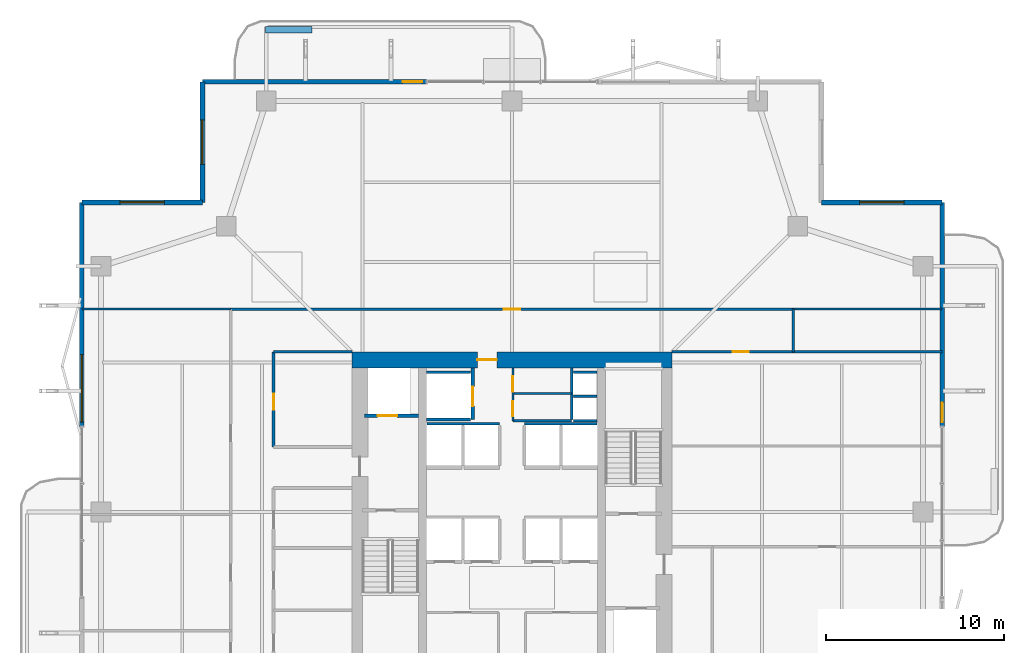
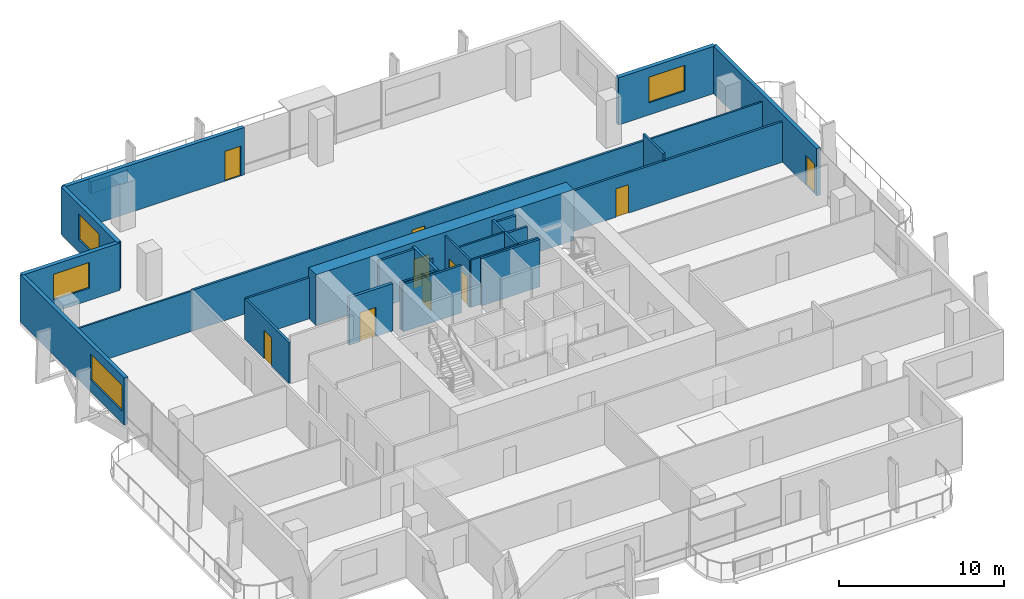
# One storey, part 20 of 25: 28 walls, 10 doors, 4 windows, 14 openings.
"""IFC4 building model written with IfcOpenShell, lengths in metres."""

from ifc_helpers import new_model, si_unit, direction, frame, frame_2d, origin, place, context, subcontext, project, spatial, rectangle, extrude, material, layer, layer_set, type_object, element, fill, save


model = new_model("IFC4")

# Units and contexts
model_context = context("Model", 3, precision=1e-05, world=origin(), true_north=direction((0.0, 1.0)))
body_context = subcontext(model_context, "Body", "Model", "MODEL_VIEW")
ifc_project = project(units=[si_unit("LENGTHUNIT", "METRE"), si_unit("AREAUNIT", "SQUARE_METRE"), si_unit("VOLUMEUNIT", "CUBIC_METRE"), si_unit("PLANEANGLEUNIT", "RADIAN"), si_unit("MASSUNIT", "GRAM", prefix="KILO")], contexts=[model_context])

# Site, building, storey
site_placement = place(None, origin())
site = spatial("IfcSite", under=ifc_project, at=site_placement, CompositionType="ELEMENT")
building_placement = place(site_placement, origin())
building = spatial("IfcBuilding", under=site, at=building_placement, Name="Belovzor Exchange Tower", CompositionType="ELEMENT")
storey_placement = place(building_placement, frame((0.0, 0.0, 142.050048828125)))
storey = spatial("IfcBuildingStorey", under=building, at=storey_placement, Name="L34", CompositionType="ELEMENT", Elevation=142.050048828125)

# Walls
ifc_material_1 = material(Name="Acoustic Plasterboard on Galvanised Studs", Category="gypsum")
ifc_layer_1 = layer(ifc_material_1, 0.1201171875)
ifc_layer_set_1 = layer_set([ifc_layer_1], Name="Acoustic Plasterboard on Galvanised Studs")
wall_type_1 = type_object("IfcWallType", Name="Acoustic Double-Stud Partition Wall 120", PredefinedType="PARTITIONING", material=ifc_layer_set_1)
wall_1_placement = place(storey_placement, frame((4.6298828125, 40.199951171875, 0.0), z_axis=(0.0, 0.0, 1.0), x_axis=(1.0, 0.0, 0.0)))
element("IfcWall", 1, at=wall_1_placement, inside=storey, type_object=wall_type_1, Name="W-P120 Partition Wall W-L34-END-NW", PredefinedType="PARTITIONING", context=body_context, shape_type="SweptSolid", body=[
    extrude(rectangle(XDim=8.3701171875, YDim=0.1201171875, at=frame_2d((4.18505859375, 0.0))), origin(), (0.0, 0.0, 1.0), 2.97998046875),
])
wall_2_placement = place(storey_placement, frame((44.60009765625, 40.199951171875, 0.0), z_axis=(0.0, 0.0, 1.0), x_axis=(1.0, 0.0, 0.0)))
element("IfcWall", 2, at=wall_2_placement, inside=storey, type_object=wall_type_1, Name="W-P120 Partition Wall W-L34-END-NE", PredefinedType="PARTITIONING", context=body_context, shape_type="SweptSolid", body=[
    extrude(rectangle(XDim=8.369873046875, YDim=0.1201171875, at=frame_2d((4.18505859375, 0.0))), origin(), (0.0, 0.0, 1.0), 2.97998046875),
])

# Wall, openings, doors
ifc_material_2 = material(Name="Fire-Rated Plasterboard on Galvanised Studs", Category="gypsum")
ifc_layer_2 = layer(ifc_material_2, 0.1201171875)
ifc_layer_set_2 = layer_set([ifc_layer_2], Name="Fire-Rated Plasterboard on Galvanised Studs")
wall_type_2 = type_object("IfcWallType", Name="Fire-Rated Double-Stud Partition Wall 120", PredefinedType="PARTITIONING", material=ifc_layer_set_2)
wall_3_placement = place(storey_placement, frame((28.85009765625, 33.925048828125, 0.0), z_axis=(0.0, 0.0, 1.0), x_axis=(0.0, 1.0, 0.0)))
wall_3 = element("IfcWall", 3, at=wall_3_placement, inside=storey, type_object=wall_type_2, Name="W-P120F Partition Wall W-CRV-L34-W", PredefinedType="PARTITIONING", context=body_context, shape_type="SweptSolid", body=[
    extrude(rectangle(XDim=2.974853515625, YDim=0.1201171875, at=frame_2d((1.4873046875, 0.0))), origin(), (0.0, 0.0, 1.0), 3.494873046875),
])
opening_1_placement = place(wall_3_placement, frame((0.25, 0.0, 0.0)))
opening_1 = element("IfcOpeningElement", 4, at=opening_1_placement, cuts=wall_3, Name="Opening D-FD60-085", PredefinedType="OPENING", context=body_context, shape_type="SweptSolid", body=[
    extrude(rectangle(XDim=0.85009765625, YDim=2.10009765625, at=frame_2d((0.425048828125, 1.050048828125))), frame((0.0, 0.070068359375, 0.0), z_axis=(0.0, -1.0, 0.0), x_axis=(1.0, 0.0, 0.0)), (0.0, 0.0, 1.0), 0.14013671875),
])
opening_2_placement = place(wall_3_placement, frame((1.64501953125, 0.0, 0.0)))
opening_2 = element("IfcOpeningElement", 5, at=opening_2_placement, cuts=wall_3, Name="Opening D-FD60-085", PredefinedType="OPENING", context=body_context, shape_type="SweptSolid", body=[
    extrude(rectangle(XDim=0.85009765625, YDim=2.10009765625, at=frame_2d((0.425048828125, 1.050048828125))), frame((0.0, 0.070068359375, 0.0), z_axis=(0.0, -1.0, 0.0), x_axis=(1.0, 0.0, 0.0)), (0.0, 0.0, 1.0), 0.14013671875),
])
ifc_material_3 = material(Name="Fire-Rated Steel Access Leaf", Category="steel")
door_type_1 = type_object("IfcDoorType", Name="Riser & Meter Closet Access Fire Door 850x2100", OperationType="NOTDEFINED", PredefinedType="DOOR", material=ifc_material_3)
door_1_placement = place(opening_1_placement, origin())
door_1 = element("IfcDoor", 6, at=door_1_placement, inside=storey, type_object=door_type_1, Name="D-FD60-085 Riser & Meter Closet Access Fire Door 850x2100", OperationType="SINGLE_SWING_LEFT", OverallHeight=2.10009765625, OverallWidth=0.85009765625, PredefinedType="DOOR", context=body_context, shape_type="SweptSolid", body=[
    extrude(rectangle(XDim=0.85009765625, YDim=2.10009765625, at=frame_2d((0.425048828125, 1.050048828125))), frame((0.0, 0.02490234375, 0.0), z_axis=(0.0, -1.0, 0.0), x_axis=(1.0, 0.0, 0.0)), (0.0, 0.0, 1.0), 0.050048828125),
])
fill(opening_1, door_1)
door_2_placement = place(opening_2_placement, origin())
door_2 = element("IfcDoor", 7, at=door_2_placement, inside=storey, type_object=door_type_1, Name="D-FD60-085 Riser & Meter Closet Access Fire Door 850x2100", OperationType="SINGLE_SWING_RIGHT", OverallHeight=2.10009765625, OverallWidth=0.85009765625, PredefinedType="DOOR", context=body_context, shape_type="SweptSolid", body=[
    extrude(rectangle(XDim=0.85009765625, YDim=2.10009765625, at=frame_2d((0.425048828125, 1.050048828125))), frame((0.0, 0.02490234375, 0.0), z_axis=(0.0, -1.0, 0.0), x_axis=(1.0, 0.0, 0.0)), (0.0, 0.0, 1.0), 0.050048828125),
])
fill(opening_2, door_2)

# Walls
for number, where, z_axis, x_axis, name in (
    (8, (28.85009765625, 35.449951171875, 0.0), (0.0, 0.0, 1.0), (1.0, 0.0, 0.0), "W-P120F Partition Wall W-CRV-L34-M"),
    (9, (28.85009765625, 33.925048828125, 0.0), (0.0, 0.0, 1.0), (1.0, 0.0, 0.0), "W-P120F Partition Wall W-CRV-L34-S"),
):
    element("IfcWall", number, at=place(storey_placement, frame(where, z_axis=z_axis, x_axis=x_axis)), inside=storey, type_object=wall_type_2, Name=name, PredefinedType="PARTITIONING", context=body_context, shape_type="SweptSolid", body=[
        extrude(rectangle(XDim=3.2998046875, YDim=0.1201171875, at=frame_2d((1.64990234375, 0.0))), origin(), (0.0, 0.0, 1.0), 3.494873046875),
    ])
ifc_material_4 = material(Name="Fire-Rated Gypsum Block and Mineral Wool", Category="gypsum")
ifc_layer_3 = layer(ifc_material_4, 0.14990234375)
ifc_layer_set_3 = layer_set([ifc_layer_3], Name="Fire-Rated Gypsum Block and Mineral Wool")
wall_type_3 = type_object("IfcWallType", Name="Fire-Rated Gypsum Block Corridor Wall 150", PredefinedType="PARTITIONING", material=ifc_layer_set_3)
wall_4_placement = place(storey_placement, frame((15.39990234375, 37.800048828125, 0.0), z_axis=(0.0, 0.0, 1.0), x_axis=(1.0, 0.0, 0.0)))
element("IfcWall", 10, at=wall_4_placement, inside=storey, type_object=wall_type_3, Name="W-P150 Partition Wall W-L34-INW-N", PredefinedType="PARTITIONING", context=body_context, shape_type="SweptSolid", body=[
    extrude(rectangle(XDim=4.400146484375, YDim=0.14990234375, at=frame_2d((2.2001953125, 0.0))), origin(), (0.0, 0.0, 1.0), 3.030029296875),
])

# Wall, opening, door
wall_5_placement = place(storey_placement, frame((15.39990234375, 32.449951171875, 0.0), z_axis=(0.0, 0.0, 1.0), x_axis=(0.0, 1.0, 0.0)))
wall_5 = element("IfcWall", 11, at=wall_5_placement, inside=storey, type_object=wall_type_3, Name="W-P150 Partition Wall W-L34-WIE-N", PredefinedType="PARTITIONING", context=body_context, shape_type="SweptSolid", body=[
    extrude(rectangle(XDim=5.35009765625, YDim=0.14990234375, at=frame_2d((2.675048828125, 0.0))), origin(), (0.0, 0.0, 1.0), 3.030029296875),
])
opening_3_placement = place(wall_5_placement, frame((2.10009765625, 0.0, 0.0)))
opening_3 = element("IfcOpeningElement", 12, at=opening_3_placement, cuts=wall_5, Name="Opening D-FD60-090", PredefinedType="OPENING", context=body_context, shape_type="SweptSolid", body=[
    extrude(rectangle(XDim=0.89990234375, YDim=2.10009765625, at=frame_2d((0.449951171875, 1.050048828125))), frame((0.0, 0.0849609375, 0.0), z_axis=(0.0, -1.0, 0.0), x_axis=(1.0, 0.0, 0.0)), (0.0, 0.0, 1.0), 0.169921875),
])
ifc_material_5 = material(Name="Acoustic Timber Fire Leaf", Category="wood")
door_type_2 = type_object("IfcDoorType", Name="Core Service & Restroom Fire Door 900x2100", OperationType="NOTDEFINED", PredefinedType="DOOR", material=ifc_material_5)
door_3_placement = place(opening_3_placement, origin())
door_3 = element("IfcDoor", 13, at=door_3_placement, inside=storey, type_object=door_type_2, Name="D-FD60-090 Core Service & Restroom Fire Door 900x2100", OperationType="SINGLE_SWING_LEFT", OverallHeight=2.10009765625, OverallWidth=0.89990234375, PredefinedType="DOOR", context=body_context, shape_type="SweptSolid", body=[
    extrude(rectangle(XDim=0.89990234375, YDim=2.10009765625, at=frame_2d((0.449951171875, 1.050048828125))), frame((0.0, 0.02490234375, 0.0), z_axis=(0.0, -1.0, 0.0), x_axis=(1.0, 0.0, 0.0)), (0.0, 0.0, 1.0), 0.050048828125),
])
fill(opening_3, door_3)

# Wall
wall_6_placement = place(storey_placement, frame((44.60009765625, 37.800048828125, 0.0), z_axis=(0.0, 0.0, 1.0), x_axis=(0.0, 1.0, 0.0)))
element("IfcWall", 14, at=wall_6_placement, inside=storey, type_object=wall_type_3, Name="W-P150 Partition Wall W-L34-END-EN", PredefinedType="PARTITIONING", context=body_context, shape_type="SweptSolid", body=[
    extrude(rectangle(XDim=2.39990234375, YDim=0.14990234375, at=frame_2d((1.199951171875, 0.0))), origin(), (0.0, 0.0, 1.0), 3.494873046875),
])

# Wall, opening, door
wall_7_placement = place(storey_placement, frame((37.800048828125, 37.800048828125, 0.0), z_axis=(0.0, 0.0, 1.0), x_axis=(1.0, 0.0, 0.0)))
wall_7 = element("IfcWall", 15, at=wall_7_placement, inside=storey, type_object=wall_type_3, Name="W-P150 Partition Wall W-L34-CN-IN", PredefinedType="PARTITIONING", context=body_context, shape_type="SweptSolid", body=[
    extrude(rectangle(XDim=15.169921875, YDim=0.14990234375, at=frame_2d((7.5849609375, 0.0))), origin(), (0.0, 0.0, 1.0), 2.97998046875),
])
opening_4_placement = place(wall_7_placement, frame((3.39990234375, 0.0, 0.0)))
opening_4 = element("IfcOpeningElement", 16, at=opening_4_placement, cuts=wall_7, Name="Opening D-INT-090", PredefinedType="OPENING", context=body_context, shape_type="SweptSolid", body=[
    extrude(rectangle(XDim=0.89990234375, YDim=2.10009765625, at=frame_2d((0.449951171875, 1.050048828125))), frame((0.0, 0.0849609375, 0.0), z_axis=(0.0, -1.0, 0.0), x_axis=(1.0, 0.0, 0.0)), (0.0, 0.0, 1.0), 0.169921875),
])
ifc_material_6 = material(Name="Veneered Hardwood Acoustic Leaf", Category="wood")
door_type_3 = type_object("IfcDoorType", Name="Trading Suite Acoustic Single Door 900x2100", OperationType="NOTDEFINED", PredefinedType="DOOR", material=ifc_material_6)
door_4_placement = place(opening_4_placement, origin())
door_4 = element("IfcDoor", 17, at=door_4_placement, inside=storey, type_object=door_type_3, Name="D-INT-090 Trading Suite Acoustic Single Door 900x2100", OperationType="SINGLE_SWING_RIGHT", OverallHeight=2.10009765625, OverallWidth=0.89990234375, PredefinedType="DOOR", context=body_context, shape_type="SweptSolid", body=[
    extrude(rectangle(XDim=0.89990234375, YDim=2.10009765625, at=frame_2d((0.449951171875, 1.050048828125))), frame((0.0, 0.02490234375, 0.0), z_axis=(0.0, -1.0, 0.0), x_axis=(1.0, 0.0, 0.0)), (0.0, 0.0, 1.0), 0.050048828125),
])
fill(opening_4, door_4)

wall_8_placement = place(storey_placement, frame((13.0, 40.199951171875, 0.0), z_axis=(0.0, 0.0, 1.0), x_axis=(1.0, 0.0, 0.0)))
wall_8 = element("IfcWall", 18, at=wall_8_placement, inside=storey, type_object=wall_type_3, Name="W-P150 Partition Wall W-L34-CN", PredefinedType="PARTITIONING", context=body_context, shape_type="SweptSolid", body=[
    extrude(rectangle(XDim=31.60009765625, YDim=0.14990234375, at=frame_2d((15.800048828125, 0.0))), origin(), (0.0, 0.0, 1.0), 3.030029296875),
])
opening_5_placement = place(wall_8_placement, frame((15.35009765625, 0.0, 0.0)))
opening_5 = element("IfcOpeningElement", 19, at=opening_5_placement, cuts=wall_8, Name="Opening D-INT-090", PredefinedType="OPENING", context=body_context, shape_type="SweptSolid", body=[
    extrude(rectangle(XDim=0.89990234375, YDim=2.10009765625, at=frame_2d((0.449951171875, 1.050048828125))), frame((0.0, 0.0849609375, 0.0), z_axis=(0.0, -1.0, 0.0), x_axis=(1.0, 0.0, 0.0)), (0.0, 0.0, 1.0), 0.169921875),
])
door_5_placement = place(opening_5_placement, origin())
door_5 = element("IfcDoor", 20, at=door_5_placement, inside=storey, type_object=door_type_3, Name="D-INT-090 Trading Suite Acoustic Single Door 900x2100", OperationType="SINGLE_SWING_LEFT", OverallHeight=2.10009765625, OverallWidth=0.89990234375, PredefinedType="DOOR", context=body_context, shape_type="SweptSolid", body=[
    extrude(rectangle(XDim=0.89990234375, YDim=2.10009765625, at=frame_2d((0.449951171875, 1.050048828125))), frame((0.0, 0.02490234375, 0.0), z_axis=(0.0, -1.0, 0.0), x_axis=(1.0, 0.0, 0.0)), (0.0, 0.0, 1.0), 0.050048828125),
])
fill(opening_5, door_5)

# Wall, opening, window
ifc_material_7 = material(Name="Precast concrete C40/50", Category="concrete")
ifc_layer_4 = layer(ifc_material_7, 0.280029296875)
ifc_layer_set_4 = layer_set([ifc_layer_4], Name="Precast concrete C40/50")
wall_type_4 = type_object("IfcWallType", Name="Precast Concrete Notched Corner Frame Wall 280", PredefinedType="SOLIDWALL", material=ifc_layer_set_4)
wall_9_placement = place(storey_placement, frame((4.6298828125, 46.199951171875, 0.0), z_axis=(0.0, 0.0, 1.0), x_axis=(1.0, 0.0, 0.0)))
wall_9 = element("IfcWall", 21, at=wall_9_placement, inside=storey, type_object=wall_type_4, Name="W-CRN280 Precast Concrete Notched Corner Frame Wall 280 L34", PredefinedType="SOLIDWALL", context=body_context, shape_type="SweptSolid", body=[
    extrude(rectangle(XDim=6.77001953125, YDim=0.280029296875, at=frame_2d((3.385009765625, 0.0))), origin(), (0.0, 0.0, 1.0), 3.494873046875),
])
opening_6_placement = place(wall_9_placement, frame((2.135009765625, 0.0, 0.89990234375)))
opening_6 = element("IfcOpeningElement", 22, at=opening_6_placement, cuts=wall_9, Name="Opening WN-CRN250", PredefinedType="OPENING", context=body_context, shape_type="SweptSolid", body=[
    extrude(rectangle(XDim=2.5, YDim=1.89990234375, at=frame_2d((1.25, 0.949951171875))), frame((0.0, 0.14990234375, 0.0), z_axis=(0.0, -1.0, 0.0), x_axis=(1.0, 0.0, 0.0)), (0.0, 0.0, 1.0), 0.300048828125),
])
ifc_material_8 = material(Name="Thermally Broken Aluminium and Triple Glazing", Category="aluminium")
window_type_1 = type_object("IfcWindowType", Name="Streamline Moderne Corner Wrap Ribbon Window 2500x1900", PartitioningType="SINGLE_PANEL", PredefinedType="WINDOW", material=ifc_material_8)
window_1_placement = place(opening_6_placement, origin())
window_1 = element("IfcWindow", 23, at=window_1_placement, inside=storey, type_object=window_type_1, Name="WN-CRN250 Streamline Moderne Corner Wrap Ribbon Window 2500x1900", OverallHeight=1.89990234375, OverallWidth=2.5, PartitioningType="SINGLE_PANEL", PredefinedType="WINDOW", context=body_context, shape_type="SweptSolid", body=[
    extrude(rectangle(XDim=2.5, YDim=1.89990234375, at=frame_2d((1.25, 0.949951171875))), frame((0.0, 0.030029296875, 0.0), z_axis=(0.0, -1.0, 0.0), x_axis=(1.0, 0.0, 0.0)), (0.0, 0.0, 1.0), 0.06005859375),
])
fill(opening_6, window_1)

wall_10_placement = place(storey_placement, frame((11.39990234375, 46.199951171875, 0.0), z_axis=(0.0, 0.0, 1.0), x_axis=(0.0, 1.0, 0.0)))
wall_10 = element("IfcWall", 24, at=wall_10_placement, inside=storey, type_object=wall_type_4, Name="W-CRN280 Precast Concrete Notched Corner Frame Wall 280 L34", PredefinedType="SOLIDWALL", context=body_context, shape_type="SweptSolid", body=[
    extrude(rectangle(XDim=6.77001953125, YDim=0.280029296875, at=frame_2d((3.385009765625, 0.0))), origin(), (0.0, 0.0, 1.0), 3.494873046875),
])
opening_7_placement = place(wall_10_placement, frame((2.135009765625, 0.0, 0.89990234375)))
opening_7 = element("IfcOpeningElement", 25, at=opening_7_placement, cuts=wall_10, Name="Opening WN-CRN250", PredefinedType="OPENING", context=body_context, shape_type="SweptSolid", body=[
    extrude(rectangle(XDim=2.5, YDim=1.89990234375, at=frame_2d((1.25, 0.949951171875))), frame((0.0, 0.14990234375, 0.0), z_axis=(0.0, -1.0, 0.0), x_axis=(1.0, 0.0, 0.0)), (0.0, 0.0, 1.0), 0.300048828125),
])
window_2_placement = place(opening_7_placement, origin())
window_2 = element("IfcWindow", 26, at=window_2_placement, inside=storey, type_object=window_type_1, Name="WN-CRN250 Streamline Moderne Corner Wrap Ribbon Window 2500x1900", OverallHeight=1.89990234375, OverallWidth=2.5, PartitioningType="SINGLE_PANEL", PredefinedType="WINDOW", context=body_context, shape_type="SweptSolid", body=[
    extrude(rectangle(XDim=2.5, YDim=1.89990234375, at=frame_2d((1.25, 0.949951171875))), frame((0.0, 0.030029296875, 0.0), z_axis=(0.0, -1.0, 0.0), x_axis=(1.0, 0.0, 0.0)), (0.0, 0.0, 1.0), 0.06005859375),
])
fill(opening_7, window_2)

wall_11_placement = place(storey_placement, frame((46.199951171875, 46.199951171875, 0.0), z_axis=(0.0, 0.0, 1.0), x_axis=(1.0, 0.0, 0.0)))
wall_11 = element("IfcWall", 27, at=wall_11_placement, inside=storey, type_object=wall_type_4, Name="W-CRN280 Precast Concrete Notched Corner Frame Wall 280 L34", PredefinedType="SOLIDWALL", context=body_context, shape_type="SweptSolid", body=[
    extrude(rectangle(XDim=6.77001953125, YDim=0.280029296875, at=frame_2d((3.385009765625, 0.0))), origin(), (0.0, 0.0, 1.0), 3.494873046875),
])
opening_8_placement = place(wall_11_placement, frame((2.135009765625, 0.0, 0.89990234375)))
opening_8 = element("IfcOpeningElement", 28, at=opening_8_placement, cuts=wall_11, Name="Opening WN-CRN250", PredefinedType="OPENING", context=body_context, shape_type="SweptSolid", body=[
    extrude(rectangle(XDim=2.5, YDim=1.89990234375, at=frame_2d((1.25, 0.949951171875))), frame((0.0, 0.14990234375, 0.0), z_axis=(0.0, -1.0, 0.0), x_axis=(1.0, 0.0, 0.0)), (0.0, 0.0, 1.0), 0.300048828125),
])
window_3_placement = place(opening_8_placement, origin())
window_3 = element("IfcWindow", 29, at=window_3_placement, inside=storey, type_object=window_type_1, Name="WN-CRN250 Streamline Moderne Corner Wrap Ribbon Window 2500x1900", OverallHeight=1.89990234375, OverallWidth=2.5, PartitioningType="SINGLE_PANEL", PredefinedType="WINDOW", context=body_context, shape_type="SweptSolid", body=[
    extrude(rectangle(XDim=2.5, YDim=1.89990234375, at=frame_2d((1.25, 0.949951171875))), frame((0.0, 0.030029296875, 0.0), z_axis=(0.0, -1.0, 0.0), x_axis=(1.0, 0.0, 0.0)), (0.0, 0.0, 1.0), 0.06005859375),
])
fill(opening_8, window_3)

# Wall, opening, door
ifc_material_9 = material(Name="Precast concrete C40/50", Category="concrete")
ifc_layer_5 = layer(ifc_material_9, 0.260009765625)
ifc_layer_set_5 = layer_set([ifc_layer_5], Name="Precast concrete C40/50")
wall_type_5 = type_object("IfcWallType", Name="Precast Concrete Perimeter Loggia Frame Wall 260", PredefinedType="SOLIDWALL", material=ifc_layer_set_5)
wall_12_placement = place(storey_placement, frame((11.39990234375, 52.969970703125, 0.0), z_axis=(0.0, 0.0, 1.0), x_axis=(1.0, 0.0, 0.0)))
wall_12 = element("IfcWall", 30, at=wall_12_placement, inside=storey, type_object=wall_type_5, Name="W-EXT260 Precast Concrete Perimeter Loggia Frame Wall 260 L34", PredefinedType="SOLIDWALL", context=body_context, shape_type="SweptSolid", body=[
    extrude(rectangle(XDim=12.60009765625, YDim=0.260009765625, at=frame_2d((6.300048828125, 0.0))), origin(), (0.0, 0.0, 1.0), 3.494873046875),
])
opening_9_placement = place(wall_12_placement, frame((11.25, 0.0, 0.0)))
opening_9 = element("IfcOpeningElement", 31, at=opening_9_placement, cuts=wall_12, Name="Opening D-BAL110", PredefinedType="OPENING", context=body_context, shape_type="SweptSolid", body=[
    extrude(rectangle(XDim=1.10009765625, YDim=2.199951171875, at=frame_2d((0.550048828125, 1.10009765625))), frame((0.0, 0.139892578125, 0.0), z_axis=(0.0, -1.0, 0.0), x_axis=(1.0, 0.0, 0.0)), (0.0, 0.0, 1.0), 0.280029296875),
])
ifc_material_10 = material(Name="Thermally Broken Anodised Aluminium and Laminated Glass", Category="aluminium")
door_type_4 = type_object("IfcDoorType", Name="Planted Loggia Terrace Glazed Door 1100x2200", OperationType="SINGLE_SWING_LEFT", PredefinedType="DOOR", material=ifc_material_10)
door_6_placement = place(opening_9_placement, origin())
door_6 = element("IfcDoor", 32, at=door_6_placement, inside=storey, type_object=door_type_4, Name="D-BAL110 Balcony Terrace Door L34 N", OperationType="SINGLE_SWING_RIGHT", OverallHeight=2.199951171875, OverallWidth=1.10009765625, PredefinedType="DOOR", context=body_context, shape_type="SweptSolid", body=[
    extrude(rectangle(XDim=1.10009765625, YDim=2.199951171875, at=frame_2d((0.550048828125, 1.10009765625))), frame((0.0, 0.02490234375, 0.0), z_axis=(0.0, -1.0, 0.0), x_axis=(1.0, 0.0, 0.0)), (0.0, 0.0, 1.0), 0.050048828125),
])
fill(opening_9, door_6)

# Wall, opening, window
wall_13_placement = place(storey_placement, frame((4.6298828125, 33.60009765625, 0.0), z_axis=(0.0, 0.0, 1.0), x_axis=(0.0, 1.0, 0.0)))
wall_13 = element("IfcWall", 33, at=wall_13_placement, inside=storey, type_object=wall_type_5, Name="W-EXT260 Precast Concrete Perimeter Loggia Frame Wall 260 L34", PredefinedType="SOLIDWALL", context=body_context, shape_type="SweptSolid", body=[
    extrude(rectangle(XDim=12.599853515625, YDim=0.260009765625, at=frame_2d((6.2998046875, 0.0))), origin(), (0.0, 0.0, 1.0), 3.494873046875),
])
opening_10_placement = place(wall_13_placement, frame((0.25, 0.0, 0.89990234375)))
opening_10 = element("IfcOpeningElement", 34, at=opening_10_placement, cuts=wall_13, Name="Opening WN-RIB380", PredefinedType="OPENING", context=body_context, shape_type="SweptSolid", body=[
    extrude(rectangle(XDim=3.800048828125, YDim=1.89990234375, at=frame_2d((1.89990234375, 0.949951171875))), frame((0.0, 0.139892578125, 0.0), z_axis=(0.0, -1.0, 0.0), x_axis=(1.0, 0.0, 0.0)), (0.0, 0.0, 1.0), 0.280029296875),
])
ifc_material_11 = material(Name="Thermally Broken Aluminium and Triple Glazing", Category="aluminium")
window_type_2 = type_object("IfcWindowType", Name="Streamline Moderne Horizontal Ribbon Window 3800x1900", PartitioningType="SINGLE_PANEL", PredefinedType="WINDOW", material=ifc_material_11)
window_4_placement = place(opening_10_placement, origin())
window_4 = element("IfcWindow", 35, at=window_4_placement, inside=storey, type_object=window_type_2, Name="WN-RIB380 Streamline Moderne Horizontal Ribbon Window 3800x1900", OverallHeight=1.89990234375, OverallWidth=3.800048828125, PartitioningType="SINGLE_PANEL", PredefinedType="WINDOW", context=body_context, shape_type="SweptSolid", body=[
    extrude(rectangle(XDim=3.800048828125, YDim=1.89990234375, at=frame_2d((1.89990234375, 0.949951171875))), frame((0.0, 0.030029296875, 0.0), z_axis=(0.0, -1.0, 0.0), x_axis=(1.0, 0.0, 0.0)), (0.0, 0.0, 1.0), 0.06005859375),
])
fill(opening_10, window_4)

# Wall, opening, door
wall_14_placement = place(storey_placement, frame((52.969970703125, 46.199951171875, 0.0), z_axis=(0.0, 0.0, 1.0), x_axis=(0.0, -1.0, 0.0)))
wall_14 = element("IfcWall", 36, at=wall_14_placement, inside=storey, type_object=wall_type_5, Name="W-EXT260 Precast Concrete Perimeter Loggia Frame Wall 260 L34", PredefinedType="SOLIDWALL", context=body_context, shape_type="SweptSolid", body=[
    extrude(rectangle(XDim=12.599853515625, YDim=0.260009765625, at=frame_2d((6.2998046875, 0.0))), origin(), (0.0, 0.0, 1.0), 3.494873046875),
])
opening_11_placement = place(wall_14_placement, frame((11.25, 0.0, 0.0)))
opening_11 = element("IfcOpeningElement", 37, at=opening_11_placement, cuts=wall_14, Name="Opening D-BAL110", PredefinedType="OPENING", context=body_context, shape_type="SweptSolid", body=[
    extrude(rectangle(XDim=1.10009765625, YDim=2.199951171875, at=frame_2d((0.550048828125, 1.10009765625))), frame((0.0, 0.139892578125, 0.0), z_axis=(0.0, -1.0, 0.0), x_axis=(1.0, 0.0, 0.0)), (0.0, 0.0, 1.0), 0.280029296875),
])
door_7_placement = place(opening_11_placement, origin())
door_7 = element("IfcDoor", 38, at=door_7_placement, inside=storey, type_object=door_type_4, Name="D-BAL110 Balcony Terrace Door L34 E", OperationType="SINGLE_SWING_LEFT", OverallHeight=2.199951171875, OverallWidth=1.10009765625, PredefinedType="DOOR", context=body_context, shape_type="SweptSolid", body=[
    extrude(rectangle(XDim=1.10009765625, YDim=2.199951171875, at=frame_2d((0.550048828125, 1.10009765625))), frame((0.0, 0.02490234375, 0.0), z_axis=(0.0, -1.0, 0.0), x_axis=(1.0, 0.0, 0.0)), (0.0, 0.0, 1.0), 0.050048828125),
])
fill(opening_11, door_7)

# Walls
ifc_material_12 = material(Name="Precast concrete C40/50", Category="concrete")
ifc_layer_6 = layer(ifc_material_12, 0.35009765625)
ifc_layer_set_6 = layer_set([ifc_layer_6], Name="Precast concrete C40/50")
wall_type_6 = type_object("IfcWallType", Name="Precast Concrete Structural Tree Planter Trough 350", PredefinedType="PARAPET", material=ifc_layer_set_6)
wall_15_placement = place(storey_placement, frame((14.949951171875, 55.89990234375, 0.0), z_axis=(0.0, 0.0, 1.0), x_axis=(1.0, 0.0, 0.0)))
element("IfcWall", 39, at=wall_15_placement, inside=storey, type_object=wall_type_6, Name="PT-350 Precast Concrete Structural Tree Planter Trough 350 L34", PredefinedType="PARAPET", context=body_context, shape_type="SweptSolid", body=[
    extrude(rectangle(XDim=2.60009765625, YDim=0.35009765625, at=frame_2d((1.300048828125, 0.0))), origin(), (0.0, 0.0, 1.0), 0.89990234375),
])
ifc_material_13 = material(Name="Concrete C50/60", Category="concrete")
ifc_layer_7 = layer(ifc_material_13, 0.14990234375)
ifc_layer_set_7 = layer_set([ifc_layer_7], Name="Concrete C50/60")
wall_type_7 = type_object("IfcWallType", Name="Reinforced Concrete Core Riser Shear Wall 150", PredefinedType="SHEAR", material=ifc_layer_set_7)
wall_16_placement = place(storey_placement, frame((32.14990234375, 34.0, 0.0), z_axis=(0.0, 0.0, 1.0), x_axis=(0.0, 1.0, 0.0)))
element("IfcWall", 40, at=wall_16_placement, inside=storey, type_object=wall_type_7, Name="W-C150S Core Shaft Wall W-RSR-L34-E", PredefinedType="SHEAR", context=body_context, shape_type="SweptSolid", body=[
    extrude(rectangle(XDim=2.89990234375, YDim=0.14990234375, at=frame_2d((1.449951171875, 0.0))), origin(), (0.0, 0.0, 1.0), 3.494873046875),
])
for number, where, z_axis, x_axis, name in (
    (41, (32.25, 33.925048828125, 0.0), (0.0, 0.0, 1.0), (1.0, 0.0, 0.0), "W-C150S Core Shaft Wall W-RSR-L34-S"),
    (42, (32.25, 35.300048828125, 0.0), (0.0, 0.0, 1.0), (1.0, 0.0, 0.0), "W-C150S Core Shaft Wall W-RSR-L34-M"),
):
    element("IfcWall", number, at=place(storey_placement, frame(where, z_axis=z_axis, x_axis=x_axis)), inside=storey, type_object=wall_type_7, Name=name, PredefinedType="SHEAR", context=body_context, shape_type="SweptSolid", body=[
        extrude(rectangle(XDim=1.330078125, YDim=0.14990234375, at=frame_2d((0.6650390625, 0.0))), origin(), (0.0, 0.0, 1.0), 3.494873046875),
    ])
for number, where, z_axis, x_axis, name in (
    (43, (24.0, 34.0, 0.0), (0.0, 0.0, 1.0), (1.0, 0.0, 0.0), "W-C150S Core Shaft Wall W-SH-L34-SL-01S"),
    (44, (24.0, 36.64990234375, 0.0), (0.0, 0.0, 1.0), (1.0, 0.0, 0.0), "W-C150S Core Shaft Wall W-SH-L34-SL-01N"),
):
    element("IfcWall", number, at=place(storey_placement, frame(where, z_axis=z_axis, x_axis=x_axis)), inside=storey, type_object=wall_type_7, Name=name, PredefinedType="SHEAR", context=body_context, shape_type="SweptSolid", body=[
        extrude(rectangle(XDim=2.47998046875, YDim=0.14990234375, at=frame_2d((1.239990234375, 0.0))), origin(), (0.0, 0.0, 1.0), 3.494873046875),
    ])
wall_17_placement = place(storey_placement, frame((32.25, 36.64990234375, 0.0), z_axis=(0.0, 0.0, 1.0), x_axis=(1.0, 0.0, 0.0)))
element("IfcWall", 45, at=wall_17_placement, inside=storey, type_object=wall_type_7, Name="W-C150S Core Shaft Wall W-RSR-L34-N", PredefinedType="SHEAR", context=body_context, shape_type="SweptSolid", body=[
    extrude(rectangle(XDim=1.330078125, YDim=0.14990234375, at=frame_2d((0.6650390625, 0.0))), origin(), (0.0, 0.0, 1.0), 3.494873046875),
])
for number, where, z_axis, x_axis, name in (
    (46, (24.02001953125, 33.760009765625, 0.0), (0.0, 0.0, 1.0), (1.0, 0.0, 0.0), "W-C150S Core Shaft Wall W-SHB-L34-PLH-NW"),
    (47, (29.5, 33.760009765625, 0.0), (0.0, 0.0, 1.0), (1.0, 0.0, 0.0), "W-C150S Core Shaft Wall W-SHB-L34-PLH-NE"),
):
    element("IfcWall", number, at=place(storey_placement, frame(where, z_axis=z_axis, x_axis=x_axis)), inside=storey, type_object=wall_type_7, Name=name, PredefinedType="SHEAR", context=body_context, shape_type="SweptSolid", body=[
        extrude(rectangle(XDim=4.080078125, YDim=0.14990234375, at=frame_2d((2.0400390625, 0.0))), origin(), (0.0, 0.0, 1.0), 3.494873046875),
    ])

# Wall, opening, door
ifc_material_14 = material(Name="Concrete C50/60", Category="concrete")
ifc_layer_8 = layer(ifc_material_14, 0.199951171875)
ifc_layer_set_8 = layer_set([ifc_layer_8], Name="Concrete C50/60")
wall_type_8 = type_object("IfcWallType", Name="Reinforced Concrete Core Shaft Shear Wall 200", PredefinedType="SHEAR", material=ifc_layer_set_8)
wall_18_placement = place(storey_placement, frame((20.5, 34.199951171875, 0.0), z_axis=(0.0, 0.0, 1.0), x_axis=(1.0, 0.0, 0.0)))
wall_18 = element("IfcWall", 48, at=wall_18_placement, inside=storey, type_object=wall_type_8, Name="W-C200S Core Shaft Wall W-SH-L34-FFL-01", PredefinedType="SHEAR", context=body_context, shape_type="SweptSolid", body=[
    extrude(rectangle(XDim=3.050048828125, YDim=0.199951171875, at=frame_2d((1.52490234375, 0.0))), origin(), (0.0, 0.0, 1.0), 3.494873046875),
])
opening_12_placement = place(wall_18_placement, frame((0.75, 0.0, 0.0)))
opening_12 = element("IfcOpeningElement", 49, at=opening_12_placement, cuts=wall_18, Name="Opening LD-110", PredefinedType="OPENING", context=body_context, shape_type="SweptSolid", body=[
    extrude(rectangle(XDim=1.10009765625, YDim=2.14990234375, at=frame_2d((0.550048828125, 1.074951171875))), frame((0.0, 0.10986328125, 0.0), z_axis=(0.0, -1.0, 0.0), x_axis=(1.0, 0.0, 0.0)), (0.0, 0.0, 1.0), 0.219970703125),
])
ifc_material_15 = material(Name="Stainless Steel Grade 304", Category="steel")
door_type_5 = type_object("IfcDoorType", Name="Automated Stainless Steel Lift Landing Door 1100x2150", OperationType="SLIDING_TO_RIGHT", PredefinedType="DOOR", material=ifc_material_15)
door_8_placement = place(opening_12_placement, origin())
door_8 = element("IfcDoor", 50, at=door_8_placement, inside=storey, type_object=door_type_5, Name="LD-110 Automated Stainless Steel Lift Landing Door 1100x2150", OperationType="SLIDING_TO_RIGHT", OverallHeight=2.14990234375, OverallWidth=1.10009765625, PredefinedType="DOOR", context=body_context, shape_type="SweptSolid", body=[
    extrude(rectangle(XDim=1.10009765625, YDim=2.14990234375, at=frame_2d((0.550048828125, 1.074951171875))), frame((0.0, 0.02490234375, 0.0), z_axis=(0.0, -1.0, 0.0), x_axis=(1.0, 0.0, 0.0)), (0.0, 0.0, 1.0), 0.050048828125),
])
fill(opening_12, door_8)

wall_19_placement = place(storey_placement, frame((26.60009765625, 34.0, 0.0), z_axis=(0.0, 0.0, 1.0), x_axis=(0.0, 1.0, 0.0)))
wall_19 = element("IfcWall", 51, at=wall_19_placement, inside=storey, type_object=wall_type_8, Name="W-C200S Core Shaft Wall W-SH-L34-SL-01", PredefinedType="SHEAR", context=body_context, shape_type="SweptSolid", body=[
    extrude(rectangle(XDim=2.89990234375, YDim=0.199951171875, at=frame_2d((1.449951171875, 0.0))), origin(), (0.0, 0.0, 1.0), 3.494873046875),
])
opening_13_placement = place(wall_19_placement, frame((0.75, 0.0, 0.0)))
opening_13 = element("IfcOpeningElement", 52, at=opening_13_placement, cuts=wall_19, Name="Opening LD-110", PredefinedType="OPENING", context=body_context, shape_type="SweptSolid", body=[
    extrude(rectangle(XDim=1.10009765625, YDim=2.14990234375, at=frame_2d((0.550048828125, 1.074951171875))), frame((0.0, 0.10986328125, 0.0), z_axis=(0.0, -1.0, 0.0), x_axis=(1.0, 0.0, 0.0)), (0.0, 0.0, 1.0), 0.219970703125),
])
door_9_placement = place(opening_13_placement, origin())
door_9 = element("IfcDoor", 53, at=door_9_placement, inside=storey, type_object=door_type_5, Name="LD-110 Automated Stainless Steel Lift Landing Door 1100x2150", OperationType="SLIDING_TO_RIGHT", OverallHeight=2.14990234375, OverallWidth=1.10009765625, PredefinedType="DOOR", context=body_context, shape_type="SweptSolid", body=[
    extrude(rectangle(XDim=1.10009765625, YDim=2.14990234375, at=frame_2d((0.550048828125, 1.074951171875))), frame((0.0, 0.02490234375, 0.0), z_axis=(0.0, -1.0, 0.0), x_axis=(1.0, 0.0, 0.0)), (0.0, 0.0, 1.0), 0.050048828125),
])
fill(opening_13, door_9)

ifc_material_16 = material(Name="Concrete C60/75", Category="concrete")
ifc_layer_9 = layer(ifc_material_16, 0.89990234375)
ifc_layer_set_9 = layer_set([ifc_layer_9], Name="Concrete C60/75")
wall_type_9 = type_object("IfcWallType", Name="Reinforced Concrete Core Shear Wall 900", PredefinedType="SHEAR", material=ifc_layer_set_9)
wall_20_placement = place(storey_placement, frame((19.800048828125, 37.35009765625, 0.0), z_axis=(0.0, 0.0, 1.0), x_axis=(1.0, 0.0, 0.0)))
wall_20 = element("IfcWall", 54, at=wall_20_placement, inside=storey, type_object=wall_type_9, Name="CW-S090 Core Shear Wall L34 N", PredefinedType="SHEAR", context=body_context, shape_type="SweptSolid", body=[
    extrude(rectangle(XDim=18.0, YDim=0.89990234375, at=frame_2d((9.0, 0.0))), origin(), (0.0, 0.0, 1.0), 3.75),
])
opening_14_placement = place(wall_20_placement, frame((7.050048828125, 0.0, 0.0)))
opening_14 = element("IfcOpeningElement", 55, at=opening_14_placement, cuts=wall_20, Name="Opening D-FD90-110", PredefinedType="OPENING", context=body_context, shape_type="SweptSolid", body=[
    extrude(rectangle(XDim=1.10009765625, YDim=2.14990234375, at=frame_2d((0.550048828125, 1.074951171875))), frame((0.0, 0.4599609375, 0.0), z_axis=(0.0, -1.0, 0.0), x_axis=(1.0, 0.0, 0.0)), (0.0, 0.0, 1.0), 0.919921875),
])
ifc_material_17 = material(Name="Fire-Rated Galvanised Steel Leaf", Category="steel")
door_type_6 = type_object("IfcDoorType", Name="Protected Escape Vestibule Fire Door 1100x2150", OperationType="NOTDEFINED", PredefinedType="DOOR", material=ifc_material_17)
door_10_placement = place(opening_14_placement, origin())
door_10 = element("IfcDoor", 56, at=door_10_placement, inside=storey, type_object=door_type_6, Name="D-FD90-110 Protected Escape Vestibule Fire Door 1100x2150", OperationType="SINGLE_SWING_RIGHT", OverallHeight=2.14990234375, OverallWidth=1.10009765625, PredefinedType="DOOR", context=body_context, shape_type="SweptSolid", body=[
    extrude(rectangle(XDim=1.10009765625, YDim=2.14990234375, at=frame_2d((0.550048828125, 1.074951171875))), frame((0.0, 0.02490234375, 0.0), z_axis=(0.0, -1.0, 0.0), x_axis=(1.0, 0.0, 0.0)), (0.0, 0.0, 1.0), 0.050048828125),
])
fill(opening_14, door_10)

save(model, "model.ifc")
